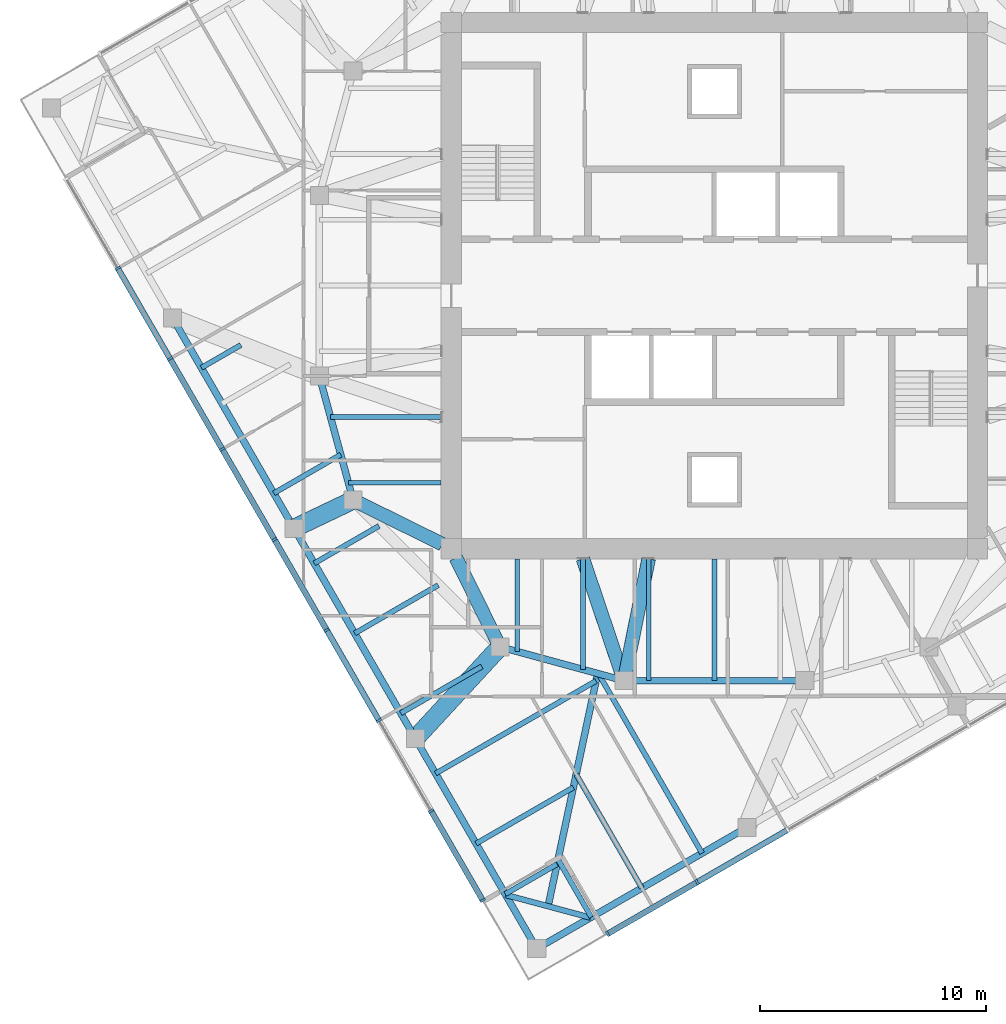
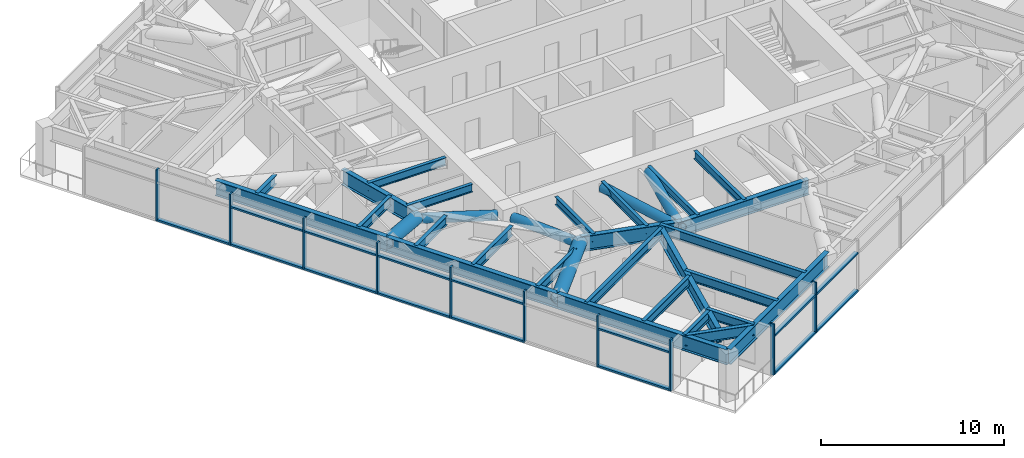
# One storey, part 2 of 16: 31 members, 26 beams, 2 elements without a shape of their own.
"""IFC4 building model written with IfcOpenShell, lengths in metres."""

import ifcopenshell
import ifcopenshell.guid

model = None  # the IFC model being written
_history = None  # IfcOwnerHistory: only IFC2X3 demands one
_inside = {}  # id of a spatial element -> (the spatial element, [elements in it])
_under = {}  # id of a project, library or spatial element -> (it, [spatial elements below it])
_declared = {}  # id of a project -> (the project, [libraries it declares])
_typed = {}  # id of a type object -> (the type object, [elements of that type])
_made_of = {}  # id of a material, layer set ... -> (it, [elements and type objects made of it])


def new_model(schema):
    """Start an empty IFC model of exactly this schema.

    Asked for "IFC4X3", IfcOpenShell would pick the latest addendum, in which some entities
    have other attributes; the version numbers below select the first issue.
    IFC2X3 requires an IfcOwnerHistory on every rooted entity: one is made here for all.
    """
    global model, _history
    if schema == "IFC4X3":
        model = ifcopenshell.file(schema_version=(4, 3, 0, 0))
    else:
        model = ifcopenshell.file(schema=schema)
    _inside.clear()
    _under.clear()
    _declared.clear()
    _typed.clear()
    _made_of.clear()
    _history = None
    if model.schema == "IFC2X3":
        org = make("IfcOrganization", Name="unknown")
        user = make(
            "IfcPersonAndOrganization",
            ThePerson=make("IfcPerson", FamilyName="unknown"),
            TheOrganization=org,
        )
        app = make(
            "IfcApplication",
            ApplicationDeveloper=org,
            Version="unknown",
            ApplicationFullName="unknown",
            ApplicationIdentifier="unknown",
        )
        _history = make(
            "IfcOwnerHistory",
            OwningUser=user,
            OwningApplication=app,
            ChangeAction="ADDED",
            CreationDate=0,
        )
    return model


def make(cls, **values):
    """One entity of the class cls with the attributes given. An attribute that is None is left unset."""
    return model.create_entity(
        cls, **{name: value for name, value in values.items() if value is not None}
    )


def rooted(cls, **values):
    """An entity with a GlobalId (a new one), such as an element, a storey or a relation."""
    return make(cls, GlobalId=ifcopenshell.guid.new(), OwnerHistory=_history, **values)


def si_unit(unit_type, name, prefix=None):
    """IfcSIUnit, for example si_unit("LENGTHUNIT", "METRE", prefix="MILLI")."""
    return make("IfcSIUnit", UnitType=unit_type, Prefix=prefix, Name=name)


def assignment(units):
    """IfcUnitAssignment: the units of a project."""
    return None if units is None else make("IfcUnitAssignment", Units=units)


def point(xyz):
    """IfcCartesianPoint."""
    return None if xyz is None else make("IfcCartesianPoint", Coordinates=xyz)


def direction(xyz):
    """IfcDirection."""
    return None if xyz is None else make("IfcDirection", DirectionRatios=xyz)


def frame(location, z_axis=None, x_axis=None):
    """IfcAxis2Placement3D, a coordinate frame: its origin and axes. An axis left out is left unset."""
    return make(
        "IfcAxis2Placement3D",
        Location=point(location),
        Axis=direction(z_axis),
        RefDirection=direction(x_axis),
    )


def frame_2d(location, x_axis=None):
    """IfcAxis2Placement2D, a coordinate frame in the plane: its origin and x axis."""
    return make(
        "IfcAxis2Placement2D", Location=point(location), RefDirection=direction(x_axis)
    )


def origin():
    """The frame at (0, 0, 0) with its axes left unset."""
    return frame((0.0, 0.0, 0.0))


def origin_2d():
    """The frame at (0, 0) in the plane with its x axis left unset."""
    return frame_2d((0.0, 0.0))


def place(relative_to, where):
    """IfcLocalPlacement: puts the frame where relative to a parent placement (None: the world)."""
    return make(
        "IfcLocalPlacement", PlacementRelTo=relative_to, RelativePlacement=where
    )


def context(
    kind, dimensions, precision=None, world=None, true_north=None, identifier=None
):
    """IfcGeometricRepresentationContext, for example the 3D "Model" context."""
    return make(
        "IfcGeometricRepresentationContext",
        ContextIdentifier=identifier,
        ContextType=kind,
        CoordinateSpaceDimension=dimensions,
        Precision=precision,
        WorldCoordinateSystem=world,
        TrueNorth=true_north,
    )


def subcontext(parent, identifier, kind, view, scale=None):
    """IfcGeometricRepresentationSubContext, for example "Body" below "Model"."""
    return make(
        "IfcGeometricRepresentationSubContext",
        ContextIdentifier=identifier,
        ContextType=kind,
        ParentContext=parent,
        TargetScale=scale,
        TargetView=view,
    )


def project(units=None, contexts=None):
    """IfcProject with its units and contexts."""
    return rooted(
        "IfcProject",
        Name="project",
        RepresentationContexts=contexts,
        UnitsInContext=assignment(units),
    )


def spatial(cls, under=None, at=None, **own):
    """A site, building, storey or space (cls), placed at a placement, below another one or the project."""
    s = rooted(cls, ObjectPlacement=at, **own)
    if under is not None:
        _under.setdefault(under.id(), (under, []))[1].append(s)
    return s


def profile(cls, at=None, kind="AREA", **sizes):
    """A parametric profile (cls). Its sizes go by their IFC names, for example OverallWidth=200.0."""
    return make(cls, ProfileType=kind, Position=at, **sizes)


def rectangle(**sizes):
    """IfcRectangleProfileDef."""
    return profile("IfcRectangleProfileDef", **sizes)


def hollow_circle(**sizes):
    """IfcCircleHollowProfileDef."""
    return profile("IfcCircleHollowProfileDef", **sizes)


def i_section(**sizes):
    """IfcIShapeProfileDef."""
    return profile("IfcIShapeProfileDef", **sizes)


def extrude(swept, where, along, depth):
    """IfcExtrudedAreaSolid: the profile swept, set in the frame where, extruded along a direction by depth."""
    return make(
        "IfcExtrudedAreaSolid",
        SweptArea=swept,
        Position=where,
        ExtrudedDirection=direction(along),
        Depth=depth,
    )


def shape(context_of_items, identifier, shape_type, items):
    """IfcShapeRepresentation: the items that make up one representation, for example the "Body"."""
    return make(
        "IfcShapeRepresentation",
        ContextOfItems=context_of_items,
        RepresentationIdentifier=identifier,
        RepresentationType=shape_type,
        Items=items,
    )


def material(Name=None, Category=None):
    """IfcMaterial."""
    return make("IfcMaterial", Name=Name, Category=Category)


def material_profile(
    of_material, cross_section, Name=None, Category=None, Priority=None
):
    """IfcMaterialProfile: a cross section and its material."""
    return make(
        "IfcMaterialProfile",
        Name=Name,
        Material=of_material,
        Profile=cross_section,
        Priority=Priority,
        Category=Category,
    )


def profile_set(profiles, Name=None, composite=None):
    """IfcMaterialProfileSet."""
    return make(
        "IfcMaterialProfileSet",
        Name=Name,
        MaterialProfiles=profiles,
        CompositeProfile=composite,
    )


def made_of(thing, what):
    """Note that an element or type object is made of a material, layer set ...; save() writes the relation."""
    if what is not None:
        _made_of.setdefault(what.id(), (what, []))[1].append(thing)
    return thing


def type_object(cls, material=None, **own):
    """A type object (cls), such as IfcWallType, which elements share."""
    return made_of(rooted(cls, **own), material)


def element(
    cls,
    number,
    at=None,
    inside=None,
    cuts=None,
    type_object=None,
    material=None,
    context=None,
    identifier="Body",
    shape_type=None,
    held_by="IfcProductDefinitionShape",
    body=None,
    shapes=None,
    **own,
):
    """One element of the class cls, such as IfcWall. Its Tag is "e" and its number.

    at: its placement. inside: the storey or other place that contains it. cuts: it is an
    opening in that element (IfcRelVoidsElement). A single representation is given by context,
    identifier, shape_type and body (its items); several are given by shapes. held_by: the class
    of the entity that holds the representations. save() writes the other relations.
    """
    e = rooted(cls, Tag="e%d" % number, ObjectPlacement=at, **own)
    if body is not None:
        shapes = [shape(context, identifier, shape_type, body)]
    if shapes is not None:
        e.Representation = make(held_by, Representations=shapes)
    if inside is not None:
        _inside.setdefault(inside.id(), (inside, []))[1].append(e)
    if cuts is not None:
        rooted(
            "IfcRelVoidsElement", RelatingBuildingElement=cuts, RelatedOpeningElement=e
        )
    if type_object is not None:
        _typed.setdefault(type_object.id(), (type_object, []))[1].append(e)
    return made_of(e, material)


def aggregate(whole, parts):
    """IfcRelAggregates: a whole, such as a stair, and the parts it consists of."""
    return rooted("IfcRelAggregates", RelatingObject=whole, RelatedObjects=parts)


def save(model, path):
    """Write the relations noted so far, then the file.

    IfcRelAggregates (storeys below a building ...), IfcRelContainedInSpatialStructure (elements
    in a storey), IfcRelDefinesByType, IfcRelAssociatesMaterial and IfcRelDeclares: one each for
    every whole, place, type object, material and project.
    """
    for whole, parts in _under.values():
        aggregate(whole, parts)
    for where, things in _inside.values():
        rooted(
            "IfcRelContainedInSpatialStructure",
            RelatedElements=things,
            RelatingStructure=where,
        )
    for kind, things in _typed.values():
        rooted("IfcRelDefinesByType", RelatedObjects=things, RelatingType=kind)
    for what, things in _made_of.values():
        rooted("IfcRelAssociatesMaterial", RelatedObjects=things, RelatingMaterial=what)
    for by, libraries in _declared.values():
        rooted("IfcRelDeclares", RelatingContext=by, RelatedDefinitions=libraries)
    model.write(path)


model = new_model("IFC4")

# Units and contexts
model_context = context("Model", 3, precision=1e-05, world=origin(), true_north=direction((0.0, 1.0)))
body_context = subcontext(model_context, "Body", "Model", "MODEL_VIEW")
ifc_project = project(units=[si_unit("LENGTHUNIT", "METRE"), si_unit("AREAUNIT", "SQUARE_METRE"), si_unit("VOLUMEUNIT", "CUBIC_METRE"), si_unit("PLANEANGLEUNIT", "RADIAN"), si_unit("MASSUNIT", "GRAM", prefix="KILO")], contexts=[model_context])

# Site, building, storey
site_placement = place(None, origin())
site = spatial("IfcSite", under=ifc_project, at=site_placement, CompositionType="ELEMENT")
building_placement = place(site_placement, origin())
building = spatial("IfcBuilding", under=site, at=building_placement, Name="Torsade Residences", CompositionType="ELEMENT")
storey_placement = place(building_placement, frame((0.0, 0.0, 232.0)))
storey = spatial("IfcBuildingStorey", under=building, at=storey_placement, Name="L64", CompositionType="ELEMENT", Elevation=232.0)

# Beams
ifc_material_1 = material(Name="Steel grade 300", Category="steel")
ifc_material_profile_1 = material_profile(ifc_material_1, i_section(OverallWidth=0.300048828125, OverallDepth=0.89990234375, WebThickness=0.011962890625, FlangeThickness=0.02490234375, at=origin_2d()), Name="900WB175")
ifc_profile_set_1 = profile_set([ifc_material_profile_1], Name="Steel grade 300")
beam_type_1 = type_object("IfcBeamType", Name="CORNER GIRDER 900WB175", PredefinedType="BEAM", material=ifc_profile_set_1)
beam_1_placement = place(storey_placement, frame((32.6337890625, 2.5087890625, 2.75), z_axis=(0.20806427425, 0.978115155685, 0.0), x_axis=(-0.978115155685, 0.20806427425, 0.0)))
element("IfcBeam", 1, at=beam_1_placement, inside=storey, type_object=beam_type_1, Name="Corner girder 01 L65", PredefinedType="BEAM", context=body_context, shape_type="SweptSolid", body=[
    extrude(i_section(OverallWidth=0.300048828125, OverallDepth=0.89990234375, WebThickness=0.011962890625, FlangeThickness=0.02490234375, at=origin_2d()), origin(), (0.0, 0.0, 1.0), 10.541748046875),
])
ifc_material_2 = material(Name="Steel grade 300", Category="steel")
ifc_material_profile_2 = material_profile(ifc_material_2, i_section(OverallWidth=0.25, OverallDepth=0.699951171875, WebThickness=0.010009765625, FlangeThickness=0.02001953125, at=origin_2d()), Name="700WB130")
ifc_profile_set_2 = profile_set([ifc_material_profile_2], Name="Steel grade 300")
beam_type_2 = type_object("IfcBeamType", Name="CORNER TRIMMER 700WB130", PredefinedType="BEAM", material=ifc_profile_set_2)
beam_2_placement = place(storey_placement, frame((34.511962890625, 2.00537109375, 2.85009765625), z_axis=(-0.965924794002, 0.258822897619, 0.0), x_axis=(-0.258822897619, -0.965924794002, 0.0)))
element("IfcBeam", 2, at=beam_2_placement, inside=storey, type_object=beam_type_2, Name="Corner trimmer 01 L65", PredefinedType="BEAM", context=body_context, shape_type="SweptSolid", body=[
    extrude(i_section(OverallWidth=0.25, OverallDepth=0.699951171875, WebThickness=0.010009765625, FlangeThickness=0.02001953125, at=origin_2d()), origin(), (0.0, 0.0, 1.0), 3.88916015625),
])

# Curtain wall, members
ifc_material_3 = material(Name="Aluminium and glass", Category="aluminium")
curtain_wall_type = type_object("IfcCurtainWallType", Name="FRITTED GLASS CURTAIN WALL HIGH ZONE", PredefinedType="NOTDEFINED", material=ifc_material_3)
curtain_wall_1_placement = place(storey_placement, origin())
curtain_wall_1 = element("IfcCurtainWall", 3, at=curtain_wall_1_placement, inside=storey, type_object=curtain_wall_type, Name="Curtain wall L64 face 1", PredefinedType="NOTDEFINED")
ifc_material_4 = material(Name="Aluminium mullion", Category="aluminium")
ifc_material_profile_3 = material_profile(ifc_material_4, rectangle(XDim=0.25, YDim=0.10009765625, at=origin_2d()), Name="HIGH ZONE CURTAIN WALL MULLION 250x100")
ifc_profile_set_3 = profile_set([ifc_material_profile_3], Name="Aluminium mullion")
member_type_1 = type_object("IfcMemberType", Name="HIGH ZONE CURTAIN WALL MULLION 250x100", PredefinedType="MULLION", material=ifc_profile_set_3)
member_1_placement = place(storey_placement, frame((35.271728515625, 1.289306640625, 0.0), z_axis=(0.0, 0.0, 1.0), x_axis=(-0.499999999305, 0.866025404186, 0.0)))
member_1 = element("IfcMember", 4, at=member_1_placement, type_object=member_type_1, Name="Mullion 1", PredefinedType="MULLION", context=body_context, shape_type="SweptSolid", body=[
    extrude(rectangle(XDim=0.25, YDim=0.10009765625, at=origin_2d()), origin(), (0.0, 0.0, 1.0), 3.39990234375),
])
member_2_placement = place(storey_placement, frame((39.23388671875, 3.576904296875, 0.0), z_axis=(0.0, 0.0, 1.0), x_axis=(-0.499999999305, 0.866025404186, 0.0)))
member_2 = element("IfcMember", 5, at=member_2_placement, type_object=member_type_1, Name="Mullion 2", PredefinedType="MULLION", context=body_context, shape_type="SweptSolid", body=[
    extrude(rectangle(XDim=0.25, YDim=0.10009765625, at=origin_2d()), origin(), (0.0, 0.0, 1.0), 3.39990234375),
])

curtain_wall_2_placement = place(storey_placement, origin())
curtain_wall_2 = element("IfcCurtainWall", 6, at=curtain_wall_2_placement, inside=storey, type_object=curtain_wall_type, Name="Curtain wall L64 face 10", PredefinedType="NOTDEFINED")
member_3_placement = place(storey_placement, frame((13.576904296875, 30.76611328125, 0.0), z_axis=(0.0, 0.0, 1.0), x_axis=(0.866025404186, 0.499999999305, 0.0)))
member_3 = element("IfcMember", 7, at=member_3_placement, type_object=member_type_1, Name="Mullion 2", PredefinedType="MULLION", context=body_context, shape_type="SweptSolid", body=[
    extrude(rectangle(XDim=0.25, YDim=0.10009765625, at=origin_2d()), origin(), (0.0, 0.0, 1.0), 3.39990234375),
])
member_4_placement = place(storey_placement, frame((15.889404296875, 26.7607421875, 0.0), z_axis=(0.0, 0.0, 1.0), x_axis=(0.866025404186, 0.499999999305, 0.0)))
member_4 = element("IfcMember", 8, at=member_4_placement, type_object=member_type_1, Name="Mullion 3", PredefinedType="MULLION", context=body_context, shape_type="SweptSolid", body=[
    extrude(rectangle(XDim=0.25, YDim=0.10009765625, at=origin_2d()), origin(), (0.0, 0.0, 1.0), 3.39990234375),
])
member_5_placement = place(storey_placement, frame((18.201904296875, 22.75537109375, 0.0), z_axis=(0.0, 0.0, 1.0), x_axis=(0.866025404186, 0.499999999305, 0.0)))
member_5 = element("IfcMember", 9, at=member_5_placement, type_object=member_type_1, Name="Mullion 4", PredefinedType="MULLION", context=body_context, shape_type="SweptSolid", body=[
    extrude(rectangle(XDim=0.25, YDim=0.10009765625, at=origin_2d()), origin(), (0.0, 0.0, 1.0), 3.39990234375),
])
member_6_placement = place(storey_placement, frame((20.514404296875, 18.75, 0.0), z_axis=(0.0, 0.0, 1.0), x_axis=(0.866025404186, 0.499999999305, 0.0)))
member_6 = element("IfcMember", 10, at=member_6_placement, type_object=member_type_1, Name="Mullion 5", PredefinedType="MULLION", context=body_context, shape_type="SweptSolid", body=[
    extrude(rectangle(XDim=0.25, YDim=0.10009765625, at=origin_2d()), origin(), (0.0, 0.0, 1.0), 3.39990234375),
])
member_7_placement = place(storey_placement, frame((22.826904296875, 14.74462890625, 0.0), z_axis=(0.0, 0.0, 1.0), x_axis=(0.866025404186, 0.499999999305, 0.0)))
member_7 = element("IfcMember", 11, at=member_7_placement, type_object=member_type_1, Name="Mullion 6", PredefinedType="MULLION", context=body_context, shape_type="SweptSolid", body=[
    extrude(rectangle(XDim=0.25, YDim=0.10009765625, at=origin_2d()), origin(), (0.0, 0.0, 1.0), 3.39990234375),
])
member_8_placement = place(storey_placement, frame((25.139404296875, 10.7392578125, 0.0), z_axis=(0.0, 0.0, 1.0), x_axis=(0.866025404186, 0.499999999305, 0.0)))
member_8 = element("IfcMember", 12, at=member_8_placement, type_object=member_type_1, Name="Mullion 7", PredefinedType="MULLION", context=body_context, shape_type="SweptSolid", body=[
    extrude(rectangle(XDim=0.25, YDim=0.10009765625, at=origin_2d()), origin(), (0.0, 0.0, 1.0), 3.39990234375),
])
member_9_placement = place(storey_placement, frame((27.451904296875, 6.73388671875, 0.0), z_axis=(0.0, 0.0, 1.0), x_axis=(0.866025404186, 0.499999999305, 0.0)))
member_9 = element("IfcMember", 13, at=member_9_placement, type_object=member_type_1, Name="Mullion 8", PredefinedType="MULLION", context=body_context, shape_type="SweptSolid", body=[
    extrude(rectangle(XDim=0.25, YDim=0.10009765625, at=origin_2d()), origin(), (0.0, 0.0, 1.0), 3.39990234375),
])
member_10_placement = place(storey_placement, frame((29.739501953125, 2.771728515625, 0.0), z_axis=(0.0, 0.0, 1.0), x_axis=(0.866025404186, 0.499999999305, 0.0)))
member_10 = element("IfcMember", 14, at=member_10_placement, type_object=member_type_1, Name="Mullion 9", PredefinedType="MULLION", context=body_context, shape_type="SweptSolid", body=[
    extrude(rectangle(XDim=0.25, YDim=0.10009765625, at=origin_2d()), origin(), (0.0, 0.0, 1.0), 3.39990234375),
])

# Member
ifc_material_5 = material(Name="Aluminium transom", Category="aluminium")
ifc_material_profile_4 = material_profile(ifc_material_5, rectangle(XDim=0.25, YDim=0.1201171875, at=origin_2d()), Name="HIGH ZONE CURTAIN WALL TRANSOM 250x120")
ifc_profile_set_4 = profile_set([ifc_material_profile_4], Name="Aluminium transom")
member_type_2 = type_object("IfcMemberType", Name="HIGH ZONE CURTAIN WALL TRANSOM 250x120", PredefinedType="USERDEFINED", material=ifc_profile_set_4)
member_11_placement = place(storey_placement, frame((35.315185546875, 1.314453125, 0.06005859375), z_axis=(0.866022053326, 0.50000580312, 0.0), x_axis=(-0.50000580312, 0.866022053326, 0.0)))
member_11 = element("IfcMember", 15, at=member_11_placement, type_object=member_type_2, Name="Transom 1.1", ObjectType="TRANSOM", PredefinedType="USERDEFINED", context=body_context, shape_type="SweptSolid", body=[
    extrude(rectangle(XDim=0.25, YDim=0.1201171875, at=origin_2d()), origin(), (0.0, 0.0, 1.0), 4.47509765625),
])

member_12_placement = place(storey_placement, frame((35.315185546875, 1.314453125, 2.56005859375), z_axis=(0.866022053326, 0.50000580312, 0.0), x_axis=(-0.50000580312, 0.866022053326, 0.0)))
member_12 = element("IfcMember", 16, at=member_12_placement, type_object=member_type_2, Name="Transom 1.2", ObjectType="TRANSOM", PredefinedType="USERDEFINED", context=body_context, shape_type="SweptSolid", body=[
    extrude(rectangle(XDim=0.25, YDim=0.1201171875, at=origin_2d()), origin(), (0.0, 0.0, 1.0), 4.47509765625),
])

member_13_placement = place(storey_placement, frame((39.277099609375, 3.601806640625, 0.06005859375), z_axis=(0.866016678684, 0.500015112013, 0.0), x_axis=(-0.500015112013, 0.866016678684, 0.0)))
member_13 = element("IfcMember", 17, at=member_13_placement, type_object=member_type_2, Name="Transom 2.1", ObjectType="TRANSOM", PredefinedType="USERDEFINED", context=body_context, shape_type="SweptSolid", body=[
    extrude(rectangle(XDim=0.25, YDim=0.1201171875, at=origin_2d()), origin(), (0.0, 0.0, 1.0), 4.525146484375),
])

member_14_placement = place(storey_placement, frame((39.277099609375, 3.601806640625, 2.56005859375), z_axis=(0.866016678684, 0.500015112013, 0.0), x_axis=(-0.500015112013, 0.866016678684, 0.0)))
member_14 = element("IfcMember", 18, at=member_14_placement, type_object=member_type_2, Name="Transom 2.2", ObjectType="TRANSOM", PredefinedType="USERDEFINED", context=body_context, shape_type="SweptSolid", body=[
    extrude(rectangle(XDim=0.25, YDim=0.1201171875, at=origin_2d()), origin(), (0.0, 0.0, 1.0), 4.525146484375),
])

aggregate(curtain_wall_1, [member_1, member_2, member_11, member_12, member_13, member_14])

member_15_placement = place(storey_placement, frame((13.601806640625, 30.722900390625, 0.06005859375), z_axis=(0.500015112013, -0.866016678684, 0.0), x_axis=(0.866016678684, 0.500015112013, 0.0)))
member_15 = element("IfcMember", 19, at=member_15_placement, type_object=member_type_2, Name="Transom 2.1", ObjectType="TRANSOM", PredefinedType="USERDEFINED", context=body_context, shape_type="SweptSolid", body=[
    extrude(rectangle(XDim=0.25, YDim=0.1201171875, at=origin_2d()), origin(), (0.0, 0.0, 1.0), 4.525146484375),
])

member_16_placement = place(storey_placement, frame((15.914306640625, 26.717529296875, 0.06005859375), z_axis=(0.500015112013, -0.866016678684, 0.0), x_axis=(0.866016678684, 0.500015112013, 0.0)))
member_16 = element("IfcMember", 20, at=member_16_placement, type_object=member_type_2, Name="Transom 3.1", ObjectType="TRANSOM", PredefinedType="USERDEFINED", context=body_context, shape_type="SweptSolid", body=[
    extrude(rectangle(XDim=0.25, YDim=0.1201171875, at=origin_2d()), origin(), (0.0, 0.0, 1.0), 4.525146484375),
])

member_17_placement = place(storey_placement, frame((15.914306640625, 26.717529296875, 2.56005859375), z_axis=(0.500015112013, -0.866016678684, 0.0), x_axis=(0.866016678684, 0.500015112013, 0.0)))
member_17 = element("IfcMember", 21, at=member_17_placement, type_object=member_type_2, Name="Transom 3.2", ObjectType="TRANSOM", PredefinedType="USERDEFINED", context=body_context, shape_type="SweptSolid", body=[
    extrude(rectangle(XDim=0.25, YDim=0.1201171875, at=origin_2d()), origin(), (0.0, 0.0, 1.0), 4.525146484375),
])

member_18_placement = place(storey_placement, frame((18.226806640625, 22.712158203125, 0.06005859375), z_axis=(0.500015112013, -0.866016678684, 0.0), x_axis=(0.866016678684, 0.500015112013, 0.0)))
member_18 = element("IfcMember", 22, at=member_18_placement, type_object=member_type_2, Name="Transom 4.1", ObjectType="TRANSOM", PredefinedType="USERDEFINED", context=body_context, shape_type="SweptSolid", body=[
    extrude(rectangle(XDim=0.25, YDim=0.1201171875, at=origin_2d()), origin(), (0.0, 0.0, 1.0), 4.525146484375),
])

member_19_placement = place(storey_placement, frame((18.226806640625, 22.712158203125, 2.56005859375), z_axis=(0.500015112013, -0.866016678684, 0.0), x_axis=(0.866016678684, 0.500015112013, 0.0)))
member_19 = element("IfcMember", 23, at=member_19_placement, type_object=member_type_2, Name="Transom 4.2", ObjectType="TRANSOM", PredefinedType="USERDEFINED", context=body_context, shape_type="SweptSolid", body=[
    extrude(rectangle(XDim=0.25, YDim=0.1201171875, at=origin_2d()), origin(), (0.0, 0.0, 1.0), 4.525146484375),
])

member_20_placement = place(storey_placement, frame((20.539306640625, 18.706787109375, 0.06005859375), z_axis=(0.500015112013, -0.866016678684, 0.0), x_axis=(0.866016678684, 0.500015112013, 0.0)))
member_20 = element("IfcMember", 24, at=member_20_placement, type_object=member_type_2, Name="Transom 5.1", ObjectType="TRANSOM", PredefinedType="USERDEFINED", context=body_context, shape_type="SweptSolid", body=[
    extrude(rectangle(XDim=0.25, YDim=0.1201171875, at=origin_2d()), origin(), (0.0, 0.0, 1.0), 4.525146484375),
])

member_21_placement = place(storey_placement, frame((20.539306640625, 18.706787109375, 2.56005859375), z_axis=(0.500015112013, -0.866016678684, 0.0), x_axis=(0.866016678684, 0.500015112013, 0.0)))
member_21 = element("IfcMember", 25, at=member_21_placement, type_object=member_type_2, Name="Transom 5.2", ObjectType="TRANSOM", PredefinedType="USERDEFINED", context=body_context, shape_type="SweptSolid", body=[
    extrude(rectangle(XDim=0.25, YDim=0.1201171875, at=origin_2d()), origin(), (0.0, 0.0, 1.0), 4.525146484375),
])

member_22_placement = place(storey_placement, frame((22.851806640625, 14.701416015625, 0.06005859375), z_axis=(0.500015112013, -0.866016678684, 0.0), x_axis=(0.866016678684, 0.500015112013, 0.0)))
member_22 = element("IfcMember", 26, at=member_22_placement, type_object=member_type_2, Name="Transom 6.1", ObjectType="TRANSOM", PredefinedType="USERDEFINED", context=body_context, shape_type="SweptSolid", body=[
    extrude(rectangle(XDim=0.25, YDim=0.1201171875, at=origin_2d()), origin(), (0.0, 0.0, 1.0), 4.525146484375),
])

member_23_placement = place(storey_placement, frame((22.851806640625, 14.701416015625, 2.56005859375), z_axis=(0.500015112013, -0.866016678684, 0.0), x_axis=(0.866016678684, 0.500015112013, 0.0)))
member_23 = element("IfcMember", 27, at=member_23_placement, type_object=member_type_2, Name="Transom 6.2", ObjectType="TRANSOM", PredefinedType="USERDEFINED", context=body_context, shape_type="SweptSolid", body=[
    extrude(rectangle(XDim=0.25, YDim=0.1201171875, at=origin_2d()), origin(), (0.0, 0.0, 1.0), 4.525146484375),
])

member_24_placement = place(storey_placement, frame((27.476806640625, 6.690673828125, 0.06005859375), z_axis=(0.50000580312, -0.866022053326, 0.0), x_axis=(0.866022053326, 0.50000580312, 0.0)))
member_24 = element("IfcMember", 28, at=member_24_placement, type_object=member_type_2, Name="Transom 8.1", ObjectType="TRANSOM", PredefinedType="USERDEFINED", context=body_context, shape_type="SweptSolid", body=[
    extrude(rectangle(XDim=0.25, YDim=0.1201171875, at=origin_2d()), origin(), (0.0, 0.0, 1.0), 4.47509765625),
])

member_25_placement = place(storey_placement, frame((27.476806640625, 6.690673828125, 2.56005859375), z_axis=(0.50000580312, -0.866022053326, 0.0), x_axis=(0.866022053326, 0.50000580312, 0.0)))
member_25 = element("IfcMember", 29, at=member_25_placement, type_object=member_type_2, Name="Transom 8.2", ObjectType="TRANSOM", PredefinedType="USERDEFINED", context=body_context, shape_type="SweptSolid", body=[
    extrude(rectangle(XDim=0.25, YDim=0.1201171875, at=origin_2d()), origin(), (0.0, 0.0, 1.0), 4.47509765625),
])

aggregate(curtain_wall_2, [member_3, member_4, member_5, member_6, member_7, member_8, member_9, member_10, member_15, member_16, member_17, member_18, member_19, member_20, member_21, member_22, member_23, member_24, member_25])

# Beams
ifc_material_6 = material(Name="Steel grade 300", Category="steel")
ifc_material_profile_5 = material_profile(ifc_material_6, i_section(OverallWidth=0.208984375, OverallDepth=0.528076171875, WebThickness=0.009521484375, FlangeThickness=0.01318359375, FilletRadius=0.013916015625, at=origin_2d()), Name="530UB82.0")
ifc_profile_set_5 = profile_set([ifc_material_profile_5], Name="Steel grade 300")
beam_type_3 = type_object("IfcBeamType", Name="INNER FLOOR BEAM 530UB82.0", PredefinedType="JOIST", material=ifc_profile_set_5)
for number, where, z_axis, x_axis, name in (
    (30, (40.0, 17.89990234375, 2.93603515625), (0.0, -1.0, 0.0), (1.0, 0.0, 0.0), "Inner floor beam IS04 L65"),
    (31, (37.08740234375, 17.89990234375, 2.93603515625), (0.0, -1.0, 0.0), (1.0, 0.0, 0.0), "Inner floor beam IS05 L65"),
):
    element("IfcBeam", number, at=place(storey_placement, frame(where, z_axis=z_axis, x_axis=x_axis)), inside=storey, type_object=beam_type_3, Name=name, PredefinedType="JOIST", context=body_context, shape_type="SweptSolid", body=[
        extrude(i_section(OverallWidth=0.208984375, OverallDepth=0.528076171875, WebThickness=0.009521484375, FlangeThickness=0.01318359375, FilletRadius=0.013916015625, at=origin_2d()), origin(), (0.0, 0.0, 1.0), 5.39990234375),
    ])
beam_3_placement = place(storey_placement, frame((34.175048828125, 17.89990234375, 2.93603515625), z_axis=(0.0, -1.0, 0.0), x_axis=(1.0, 0.0, 0.0)))
element("IfcBeam", 32, at=beam_3_placement, inside=storey, type_object=beam_type_3, Name="Inner floor beam IS06 L65", PredefinedType="JOIST", context=body_context, shape_type="SweptSolid", body=[
    extrude(i_section(OverallWidth=0.208984375, OverallDepth=0.528076171875, WebThickness=0.009521484375, FlangeThickness=0.01318359375, FilletRadius=0.013916015625, at=origin_2d()), origin(), (0.0, 0.0, 1.0), 4.902099609375),
])
beam_4_placement = place(storey_placement, frame((31.262451171875, 17.89990234375, 2.93603515625), z_axis=(0.0, -1.0, 0.0), x_axis=(1.0, 0.0, 0.0)))
element("IfcBeam", 33, at=beam_4_placement, inside=storey, type_object=beam_type_3, Name="Inner floor beam IS07 L65", PredefinedType="JOIST", context=body_context, shape_type="SweptSolid", body=[
    extrude(i_section(OverallWidth=0.208984375, OverallDepth=0.528076171875, WebThickness=0.009521484375, FlangeThickness=0.01318359375, FilletRadius=0.013916015625, at=origin_2d()), origin(), (0.0, 0.0, 1.0), 4.10791015625),
])
beam_5_placement = place(storey_placement, frame((27.89990234375, 24.175048828125, 2.93603515625), z_axis=(-1.0, 0.0, 0.0), x_axis=(0.0, -1.0, 0.0)))
element("IfcBeam", 34, at=beam_5_placement, inside=storey, type_object=beam_type_3, Name="Inner floor beam IW06 L65", PredefinedType="JOIST", context=body_context, shape_type="SweptSolid", body=[
    extrude(i_section(OverallWidth=0.208984375, OverallDepth=0.528076171875, WebThickness=0.009521484375, FlangeThickness=0.01318359375, FilletRadius=0.013916015625, at=origin_2d()), origin(), (0.0, 0.0, 1.0), 4.902099609375),
])
beam_6_placement = place(storey_placement, frame((27.89990234375, 21.262451171875, 2.93603515625), z_axis=(-1.0, 0.0, 0.0), x_axis=(0.0, -1.0, 0.0)))
element("IfcBeam", 35, at=beam_6_placement, inside=storey, type_object=beam_type_3, Name="Inner floor beam IW07 L65", PredefinedType="JOIST", context=body_context, shape_type="SweptSolid", body=[
    extrude(i_section(OverallWidth=0.208984375, OverallDepth=0.528076171875, WebThickness=0.009521484375, FlangeThickness=0.01318359375, FilletRadius=0.013916015625, at=origin_2d()), origin(), (0.0, 0.0, 1.0), 4.10791015625),
])
ifc_material_7 = material(Name="Steel grade 300", Category="steel")
ifc_material_profile_6 = material_profile(ifc_material_7, i_section(OverallWidth=0.300048828125, OverallDepth=1.0, WebThickness=0.01611328125, FlangeThickness=0.028076171875, at=origin_2d()), Name="1000WB215")
ifc_profile_set_6 = profile_set([ifc_material_profile_6], Name="Steel grade 300")
beam_type_4 = type_object("IfcBeamType", Name="RING GIRDER 1000WB215", PredefinedType="BEAM", material=ifc_profile_set_6)
for number, where, z_axis, x_axis, name in (
    (36, (22.5, 26.0, 2.699951171875), (0.263117405792, -0.964763821238, 0.0), (0.964763821238, 0.263117405792, 0.0), "Ring girder IR10 L65"),
    (37, (30.5, 14.0, 2.699951171875), (0.964763821238, -0.263117405792, 0.0), (0.263117405792, 0.964763821238, 0.0), "Ring girder IR12 L65"),
):
    element("IfcBeam", number, at=place(storey_placement, frame(where, z_axis=z_axis, x_axis=x_axis)), inside=storey, type_object=beam_type_4, Name=name, PredefinedType="BEAM", context=body_context, shape_type="SweptSolid", body=[
        extrude(i_section(OverallWidth=0.300048828125, OverallDepth=1.0, WebThickness=0.01611328125, FlangeThickness=0.028076171875, at=origin_2d()), origin(), (0.0, 0.0, 1.0), 5.700927734375),
    ])
beam_7_placement = place(storey_placement, frame((36.0, 12.5, 2.699951171875), z_axis=(1.0, 0.0, 0.0), x_axis=(0.0, 1.0, 0.0)))
element("IfcBeam", 38, at=beam_7_placement, inside=storey, type_object=beam_type_4, Name="Ring girder IR13 L65", PredefinedType="BEAM", context=body_context, shape_type="SweptSolid", body=[
    extrude(i_section(OverallWidth=0.300048828125, OverallDepth=1.0, WebThickness=0.01611328125, FlangeThickness=0.028076171875, at=origin_2d()), origin(), (0.0, 0.0, 1.0), 8.0),
])
ifc_material_8 = material(Name="Steel grade 300", Category="steel")
ifc_material_profile_7 = material_profile(ifc_material_8, i_section(OverallWidth=0.22900390625, OverallDepth=0.612060546875, WebThickness=0.011962890625, FlangeThickness=0.01953125, FilletRadius=0.013916015625, at=origin_2d()), Name="610UB125")
ifc_profile_set_7 = profile_set([ifc_material_profile_7], Name="Steel grade 300")
beam_type_5 = type_object("IfcBeamType", Name="SECONDARY BEAM 610UB125", PredefinedType="JOIST", material=ifc_profile_set_7)
beam_8_placement = place(storey_placement, frame((34.548095703125, 2.0263671875, 2.89404296875), z_axis=(-0.500014013, 0.866017313224, 0.0), x_axis=(-0.866017313224, -0.500014013, 0.0)))
element("IfcBeam", 39, at=beam_8_placement, inside=storey, type_object=beam_type_5, Name="Floor beam FS01 L65", PredefinedType="JOIST", context=body_context, shape_type="SweptSolid", body=[
    extrude(i_section(OverallWidth=0.22900390625, OverallDepth=0.612060546875, WebThickness=0.011962890625, FlangeThickness=0.01953125, FilletRadius=0.013916015625, at=origin_2d()), origin(), (0.0, 0.0, 1.0), 2.94775390625),
])
beam_9_placement = place(storey_placement, frame((36.785400390625, 3.31787109375, 2.89404296875), z_axis=(-0.499990133118, 0.866031100357, 0.0), x_axis=(-0.866031100357, -0.499990133118, 0.0)))
element("IfcBeam", 40, at=beam_9_placement, inside=storey, type_object=beam_type_5, Name="Floor beam FS02 L65", PredefinedType="JOIST", context=body_context, shape_type="SweptSolid", body=[
    extrude(i_section(OverallWidth=0.22900390625, OverallDepth=0.612060546875, WebThickness=0.011962890625, FlangeThickness=0.01953125, FilletRadius=0.013916015625, at=origin_2d()), origin(), (0.0, 0.0, 1.0), 5.81591796875),
])
beam_10_placement = place(storey_placement, frame((39.45556640625, 4.859619140625, 2.89404296875), z_axis=(-0.500006393711, 0.866021712342, 0.0), x_axis=(-0.866021712342, -0.500006393711, 0.0)))
element("IfcBeam", 41, at=beam_10_placement, inside=storey, type_object=beam_type_5, Name="Floor beam FS03 L65", PredefinedType="JOIST", context=body_context, shape_type="SweptSolid", body=[
    extrude(i_section(OverallWidth=0.22900390625, OverallDepth=0.612060546875, WebThickness=0.011962890625, FlangeThickness=0.01953125, FilletRadius=0.013916015625, at=origin_2d()), origin(), (0.0, 0.0, 1.0), 9.1796875),
])
beam_11_placement = place(storey_placement, frame((17.2763671875, 26.358642578125, 2.89404296875), z_axis=(0.865996458488, 0.500050131373, 0.0), x_axis=(-0.500050131373, 0.865996458488, 0.0)))
element("IfcBeam", 42, at=beam_11_placement, inside=storey, type_object=beam_type_5, Name="Floor beam FW04 L65", PredefinedType="JOIST", context=body_context, shape_type="SweptSolid", body=[
    extrude(i_section(OverallWidth=0.22900390625, OverallDepth=0.612060546875, WebThickness=0.011962890625, FlangeThickness=0.01953125, FilletRadius=0.013916015625, at=origin_2d()), origin(), (0.0, 0.0, 1.0), 2.020751953125),
])
beam_12_placement = place(storey_placement, frame((20.484619140625, 20.801513671875, 2.89404296875), z_axis=(0.866001587311, 0.500041249073, 0.0), x_axis=(-0.500041249073, 0.866001587311, 0.0)))
element("IfcBeam", 43, at=beam_12_placement, inside=storey, type_object=beam_type_5, Name="Floor beam FW06 L65", PredefinedType="JOIST", context=body_context, shape_type="SweptSolid", body=[
    extrude(i_section(OverallWidth=0.22900390625, OverallDepth=0.612060546875, WebThickness=0.011962890625, FlangeThickness=0.01953125, FilletRadius=0.013916015625, at=origin_2d()), origin(), (0.0, 0.0, 1.0), 3.425048828125),
])
beam_13_placement = place(storey_placement, frame((22.2763671875, 17.698486328125, 2.89404296875), z_axis=(0.866039541186, 0.499975512502, 0.0), x_axis=(-0.499975512502, 0.866039541186, 0.0)))
element("IfcBeam", 44, at=beam_13_placement, inside=storey, type_object=beam_type_5, Name="Floor beam FW07 L65", PredefinedType="JOIST", context=body_context, shape_type="SweptSolid", body=[
    extrude(i_section(OverallWidth=0.22900390625, OverallDepth=0.612060546875, WebThickness=0.011962890625, FlangeThickness=0.01953125, FilletRadius=0.013916015625, at=origin_2d()), origin(), (0.0, 0.0, 1.0), 3.312744140625),
])
beam_14_placement = place(storey_placement, frame((24.06787109375, 14.59521484375, 2.89404296875), z_axis=(0.866022880939, 0.500004369671, 0.0), x_axis=(-0.500004369671, 0.866022880939, 0.0)))
element("IfcBeam", 45, at=beam_14_placement, inside=storey, type_object=beam_type_5, Name="Floor beam FW08 L65", PredefinedType="JOIST", context=body_context, shape_type="SweptSolid", body=[
    extrude(i_section(OverallWidth=0.22900390625, OverallDepth=0.612060546875, WebThickness=0.011962890625, FlangeThickness=0.01953125, FilletRadius=0.013916015625, at=origin_2d()), origin(), (0.0, 0.0, 1.0), 4.27294921875),
])
beam_15_placement = place(storey_placement, frame((26.109619140625, 11.058837890625, 2.89404296875), z_axis=(0.866037435306, 0.499979160215, 0.0), x_axis=(-0.499979160215, 0.866037435306, 0.0)))
element("IfcBeam", 46, at=beam_15_placement, inside=storey, type_object=beam_type_5, Name="Floor beam FW09 L65", PredefinedType="JOIST", context=body_context, shape_type="SweptSolid", body=[
    extrude(i_section(OverallWidth=0.22900390625, OverallDepth=0.612060546875, WebThickness=0.011962890625, FlangeThickness=0.01953125, FilletRadius=0.013916015625, at=origin_2d()), origin(), (0.0, 0.0, 1.0), 4.143798828125),
])
beam_16_placement = place(storey_placement, frame((27.6513671875, 8.388671875, 2.89404296875), z_axis=(0.866030002502, 0.499992034702, 0.0), x_axis=(-0.499992034702, 0.866030002502, 0.0)))
element("IfcBeam", 47, at=beam_16_placement, inside=storey, type_object=beam_type_5, Name="Floor beam FW10 L65", PredefinedType="JOIST", context=body_context, shape_type="SweptSolid", body=[
    extrude(i_section(OverallWidth=0.22900390625, OverallDepth=0.612060546875, WebThickness=0.011962890625, FlangeThickness=0.01953125, FilletRadius=0.013916015625, at=origin_2d()), origin(), (0.0, 0.0, 1.0), 8.205322265625),
])
beam_17_placement = place(storey_placement, frame((29.44287109375, 5.285400390625, 2.89404296875), z_axis=(0.866043477274, 0.499968694491, 0.0), x_axis=(-0.499968694491, 0.866043477274, 0.0)))
element("IfcBeam", 48, at=beam_17_placement, inside=storey, type_object=beam_type_5, Name="Floor beam FW11 L65", PredefinedType="JOIST", context=body_context, shape_type="SweptSolid", body=[
    extrude(i_section(OverallWidth=0.22900390625, OverallDepth=0.612060546875, WebThickness=0.011962890625, FlangeThickness=0.01953125, FilletRadius=0.013916015625, at=origin_2d()), origin(), (0.0, 0.0, 1.0), 4.977783203125),
])
beam_18_placement = place(storey_placement, frame((30.734619140625, 3.048095703125, 2.89404296875), z_axis=(0.866041431316, 0.499972238474, 0.0), x_axis=(-0.499972238474, 0.866041431316, 0.0)))
element("IfcBeam", 49, at=beam_18_placement, inside=storey, type_object=beam_type_5, Name="Floor beam FW12 L65", PredefinedType="JOIST", context=body_context, shape_type="SweptSolid", body=[
    extrude(i_section(OverallWidth=0.22900390625, OverallDepth=0.612060546875, WebThickness=0.011962890625, FlangeThickness=0.01953125, FilletRadius=0.013916015625, at=origin_2d()), origin(), (0.0, 0.0, 1.0), 2.651123046875),
])

# Members
ifc_material_9 = material(Name="Steel grade 450", Category="steel")
ifc_material_profile_8 = material_profile(ifc_material_9, hollow_circle(Radius=0.304931640625, WallThickness=0.01611328125, at=origin_2d()), Name="610.0x16.0CHS")
ifc_profile_set_8 = profile_set([ifc_material_profile_8], Name="Steel grade 450")
member_type_3 = type_object("IfcMemberType", Name="TRANSFER FLOOR BRACE 610.0x16.0CHS", PredefinedType="BRACE", material=ifc_profile_set_8)
for number, where, z_axis, x_axis, name in (
    (50, (24.0, 20.5, 2.699951171875), (0.896469701914, -0.443105036702, 0.0), (0.443105036702, 0.896469701914, 0.0), "Transfer floor brace TT7 bottom IR11C"),
    (51, (30.5, 14.0, 2.699951171875), (-0.443105036702, 0.896469701914, 0.0), (-0.896469701914, -0.443105036702, 0.0), "Transfer floor brace TT7 bottom IR12C"),
):
    element("IfcMember", number, at=place(storey_placement, frame(where, z_axis=z_axis, x_axis=x_axis)), inside=storey, type_object=member_type_3, Name=name, PredefinedType="BRACE", context=body_context, shape_type="SweptSolid", body=[
        extrude(hollow_circle(Radius=0.304931640625, WallThickness=0.01611328125, at=origin_2d()), origin(), (0.0, 0.0, 1.0), 4.40234375),
    ])
member_26_placement = place(storey_placement, frame((36.0, 12.5, 2.699951171875), z_axis=(0.197387517864, 0.980201418973, 0.015599552377), x_axis=(-0.980320704809, 0.197411538983, 0.0)))
element("IfcMember", 52, at=member_26_placement, inside=storey, type_object=member_type_3, Name="Transfer floor brace TT7 bottom IR13IS05", PredefinedType="BRACE", context=body_context, shape_type="SweptSolid", body=[
    extrude(hollow_circle(Radius=0.304931640625, WallThickness=0.01611328125, at=origin_2d()), origin(), (0.0, 0.0, 1.0), 5.509033203125),
])
member_27_placement = place(storey_placement, frame((36.0, 12.5, 2.699951171875), z_axis=(-0.320133484365, 0.947252495944, 0.01507518214), x_axis=(-0.947360151124, -0.320169867513, 0.0)))
element("IfcMember", 53, at=member_27_placement, inside=storey, type_object=member_type_3, Name="Transfer floor brace TT7 bottom IR13IS06", PredefinedType="BRACE", context=body_context, shape_type="SweptSolid", body=[
    extrude(hollow_circle(Radius=0.304931640625, WallThickness=0.01611328125, at=origin_2d()), origin(), (0.0, 0.0, 1.0), 5.70068359375),
])
ifc_material_10 = material(Name="Steel grade 450", Category="steel")
ifc_material_profile_9 = material_profile(ifc_material_10, hollow_circle(Radius=0.406494140625, WallThickness=0.02490234375, at=origin_2d()), Name="813.0x25.0CHS")
ifc_profile_set_9 = profile_set([ifc_material_profile_9], Name="Steel grade 450")
member_type_4 = type_object("IfcMemberType", Name="TRANSFER FLOOR STRUT 813.0x25.0CHS", PredefinedType="STRUT", material=ifc_profile_set_9)
member_28_placement = place(storey_placement, frame((21.38037109375, 19.25, 2.798583984375), z_axis=(0.902518189348, 0.430651736204, 0.0), x_axis=(-0.430651736204, 0.902518189348, 0.0)))
element("IfcMember", 54, at=member_28_placement, inside=storey, type_object=member_type_4, Name="Transfer floor strut TT7 bottom 15IR11", PredefinedType="STRUT", context=body_context, shape_type="SweptSolid", body=[
    extrude(hollow_circle(Radius=0.406494140625, WallThickness=0.02490234375, at=origin_2d()), origin(), (0.0, 0.0, 1.0), 2.902587890625),
])
member_29_placement = place(storey_placement, frame((26.75537109375, 9.940185546875, 2.798583984375), z_axis=(0.67799731791, 0.735064376029, 0.0), x_axis=(-0.735064376029, 0.67799731791, 0.0)))
element("IfcMember", 55, at=member_29_placement, inside=storey, type_object=member_type_4, Name="Transfer floor strut TT7 bottom 16IR12", PredefinedType="STRUT", context=body_context, shape_type="SweptSolid", body=[
    extrude(hollow_circle(Radius=0.406494140625, WallThickness=0.02490234375, at=origin_2d()), origin(), (0.0, 0.0, 1.0), 5.523193359375),
])

# Beams
ifc_material_11 = material(Name="Steel grade 300", Category="steel")
ifc_material_profile_10 = material_profile(ifc_material_11, i_section(OverallWidth=0.300048828125, OverallDepth=1.0, WebThickness=0.01611328125, FlangeThickness=0.028076171875, at=origin_2d()), Name="1000WB215")
ifc_profile_set_10 = profile_set([ifc_material_profile_10], Name="Steel grade 300")
beam_type_6 = type_object("IfcBeamType", Name="TRANSFER TRUSS CHORD 1000WB215", PredefinedType="USERDEFINED", material=ifc_profile_set_10)
for number, where, z_axis, x_axis, name in (
    (56, (32.13037109375, 0.63037109375, 2.699951171875), (0.866026365697, 0.499998333915, 0.0), (-0.499998333915, 0.866026365697, 0.0), "Transfer truss TT7 bottom chord 01"),
    (57, (16.00537109375, 28.559814453125, 2.699951171875), (0.499998333915, -0.866026365697, 0.0), (0.866026365697, 0.499998333915, 0.0), "Transfer truss TT7 bottom chord 14"),
    (58, (21.38037109375, 19.25, 2.699951171875), (0.499998333915, -0.866026365697, 0.0), (0.866026365697, 0.499998333915, 0.0), "Transfer truss TT7 bottom chord 15"),
    (59, (26.75537109375, 9.940185546875, 2.699951171875), (0.499998333915, -0.866026365697, 0.0), (0.866026365697, 0.499998333915, 0.0), "Transfer truss TT7 bottom chord 16"),
):
    element("IfcBeam", number, at=place(storey_placement, frame(where, z_axis=z_axis, x_axis=x_axis)), inside=storey, type_object=beam_type_6, Name=name, ObjectType="TRANSFER TRUSS CHORD", PredefinedType="USERDEFINED", context=body_context, shape_type="SweptSolid", body=[
        extrude(i_section(OverallWidth=0.300048828125, OverallDepth=1.0, WebThickness=0.01611328125, FlangeThickness=0.028076171875, at=origin_2d()), origin(), (0.0, 0.0, 1.0), 10.75),
    ])

save(model, "model.ifc")
